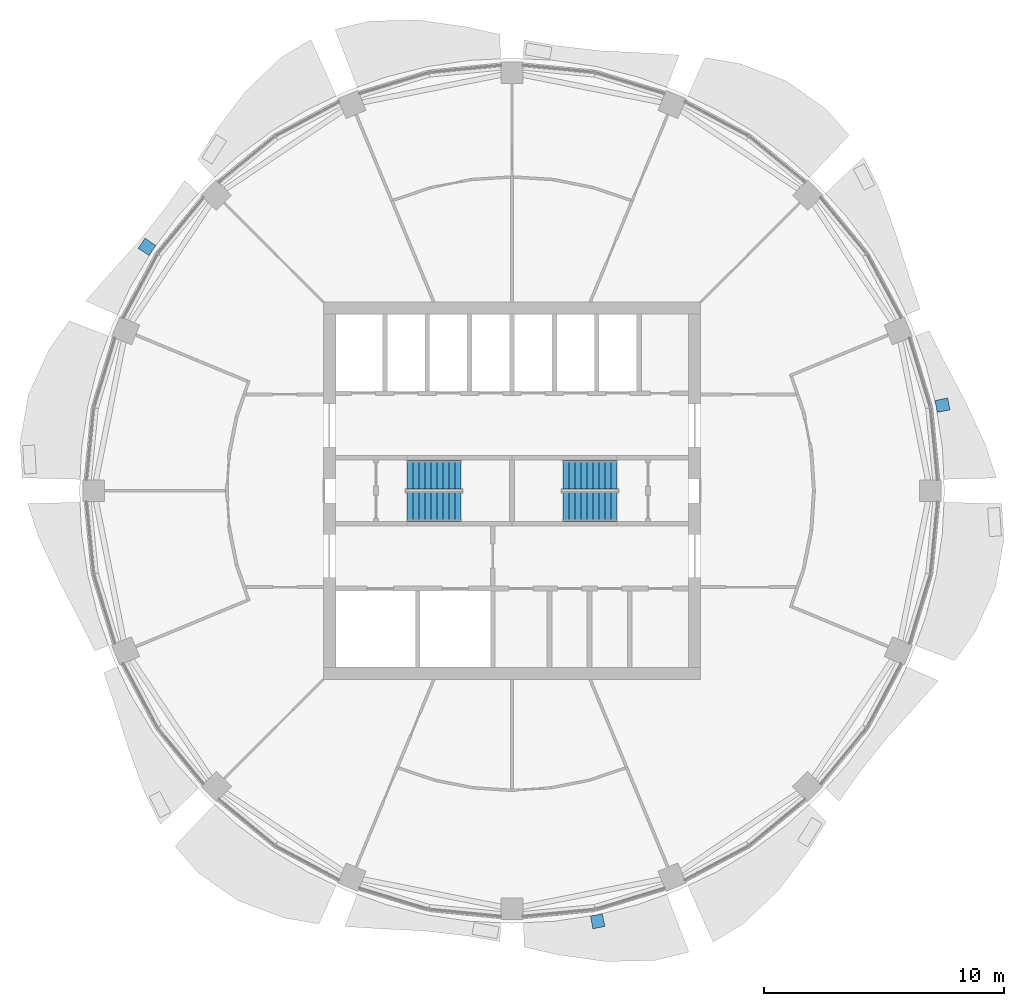
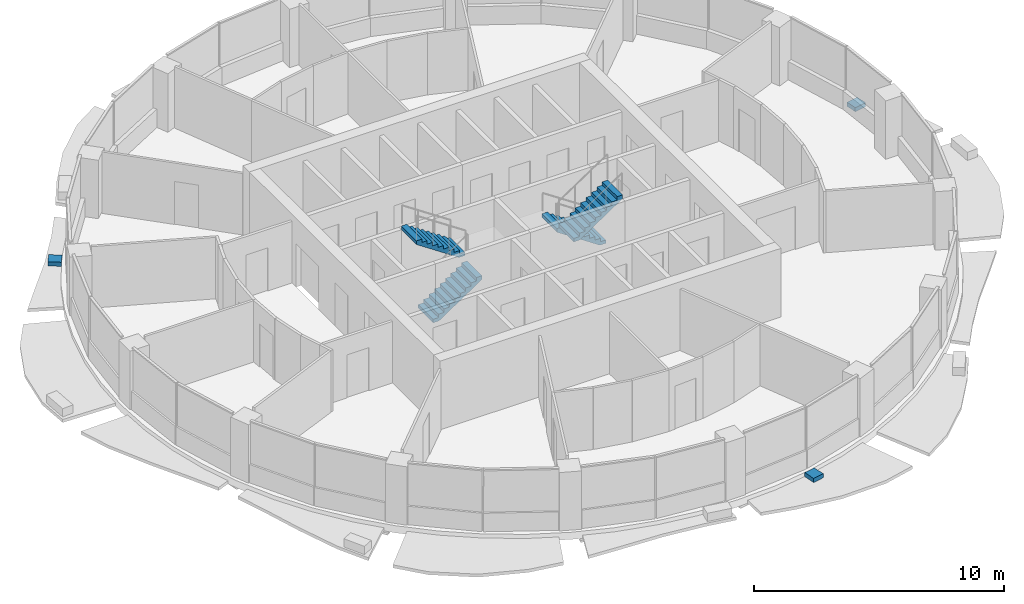
# One storey, part 11 of 15: 4 stair flights, 3 discrete accessories, 2 elements without a shape of their own.
"""IFC4 building model written with IfcOpenShell, lengths in metres."""

from ifc_helpers import new_model, si_unit, direction, frame, origin, place, context, subcontext, project, spatial, polyline, outline, extrude, material, type_object, element, aggregate, save


model = new_model("IFC4")

# Units and contexts
model_context = context("Model", 3, precision=1e-05, world=origin(), true_north=direction((0.0, 1.0)))
body_context = subcontext(model_context, "Body", "Model", "MODEL_VIEW")
ifc_project = project(units=[si_unit("LENGTHUNIT", "METRE"), si_unit("AREAUNIT", "SQUARE_METRE"), si_unit("VOLUMEUNIT", "CUBIC_METRE"), si_unit("PLANEANGLEUNIT", "RADIAN"), si_unit("MASSUNIT", "GRAM", prefix="KILO")], contexts=[model_context])

# Site, building, storey
site_placement = place(None, origin())
site = spatial("IfcSite", under=ifc_project, at=site_placement, CompositionType="ELEMENT")
building_placement = place(site_placement, origin())
building = spatial("IfcBuilding", under=site, at=building_placement, Name="Polderwave Tower", CompositionType="ELEMENT")
storey_placement = place(building_placement, frame((0.0, 0.0, 191.0)))
storey = spatial("IfcBuildingStorey", under=building, at=storey_placement, Name="L51", CompositionType="ELEMENT", Elevation=191.0)

# Stair, stair flights
ifc_material_1 = material(Name="Concrete C40/50", Category="concrete")
stair_type = type_object("IfcStairType", Name="Exit stair 1200 x 20 risers", PredefinedType="HALF_TURN_STAIR", material=ifc_material_1)
stair_1_placement = place(storey_placement, origin())
stair_1 = element("IfcStair", 1, at=stair_1_placement, inside=storey, type_object=stair_type, Name="L51 Exit stair A", PredefinedType="HALF_TURN_STAIR")
stair_flight_type = type_object("IfcStairFlightType", Name="Stair flight 1200", PredefinedType="STRAIGHT", material=ifc_material_1)
stair_flight_1_placement = place(storey_placement, frame((-4.3740234375, -0.675048828125, 0.0), z_axis=(0.0, 0.0, 1.0), x_axis=(1.0, 0.0, 0.0)))
stair_flight_1 = element("IfcStairFlight", 2, at=stair_flight_1_placement, type_object=stair_flight_type, Name="ST-A flight 1", NumberOfRisers=10, NumberOfTreads=9, PredefinedType="STRAIGHT", RiserHeight=0.1675, TreadLength=0.25, context=body_context, shape_type="SweptSolid", body=[
    extrude(outline(polyline([(0.0, 0.0), (0.0, 0.16748046875), (0.25, 0.16748046875), (0.25, 0.3349609375), (0.5, 0.3349609375), (0.5, 0.50244140625), (0.75, 0.50244140625), (0.75, 0.669921875), (1.0, 0.669921875), (1.0, 0.83740234375), (1.25, 0.83740234375), (1.25, 1.0048828125), (1.5, 1.0048828125), (1.5, 1.172607421875), (1.75, 1.172607421875), (1.75, 1.340087890625), (2.0, 1.340087890625), (2.0, 1.507568359375), (2.25, 1.507568359375), (2.25, 1.675048828125), (2.25, 1.3271484375), (0.269287109375, 0.0), (0.0, 0.0)])), frame((0.0, 0.60009765625, 0.0), z_axis=(0.0, -1.0, 0.0), x_axis=(1.0, 0.0, 0.0)), (0.0, 0.0, 1.0), 1.199951171875),
])
stair_flight_2_placement = place(storey_placement, frame((-2.1240234375, 0.675048828125, 1.675048828125), z_axis=(0.0, 0.0, 1.0), x_axis=(-1.0, 0.0, 0.0)))
stair_flight_2 = element("IfcStairFlight", 3, at=stair_flight_2_placement, type_object=stair_flight_type, Name="ST-A flight 2", NumberOfRisers=10, NumberOfTreads=9, PredefinedType="STRAIGHT", RiserHeight=0.1675, TreadLength=0.25, context=body_context, shape_type="SweptSolid", body=[
    extrude(outline(polyline([(0.0, 0.0), (0.0, 0.16748046875), (0.25, 0.16748046875), (0.25, 0.3349609375), (0.5, 0.3349609375), (0.5, 0.50244140625), (0.75, 0.50244140625), (0.75, 0.669921875), (1.0, 0.669921875), (1.0, 0.83740234375), (1.25, 0.83740234375), (1.25, 1.0048828125), (1.5, 1.0048828125), (1.5, 1.172607421875), (1.75, 1.172607421875), (1.75, 1.340087890625), (2.0, 1.340087890625), (2.0, 1.507568359375), (2.25, 1.507568359375), (2.25, 1.675048828125), (2.25, 1.3271484375), (0.269287109375, 0.0), (0.0, 0.0)])), frame((0.0, 0.60009765625, 0.0), z_axis=(0.0, -1.0, 0.0), x_axis=(1.0, 0.0, 0.0)), (0.0, 0.0, 1.0), 1.199951171875),
])
aggregate(stair_1, [stair_flight_1, stair_flight_2])

stair_2_placement = place(storey_placement, origin())
stair_2 = element("IfcStair", 4, at=stair_2_placement, inside=storey, type_object=stair_type, Name="L51 Exit stair B", PredefinedType="HALF_TURN_STAIR")
stair_flight_3_placement = place(storey_placement, frame((4.3740234375, 0.675048828125, 0.0), z_axis=(0.0, 0.0, 1.0), x_axis=(-1.0, 0.0, 0.0)))
stair_flight_3 = element("IfcStairFlight", 5, at=stair_flight_3_placement, type_object=stair_flight_type, Name="ST-B flight 1", NumberOfRisers=10, NumberOfTreads=9, PredefinedType="STRAIGHT", RiserHeight=0.1675, TreadLength=0.25, context=body_context, shape_type="SweptSolid", body=[
    extrude(outline(polyline([(0.0, 0.0), (0.0, 0.16748046875), (0.25, 0.16748046875), (0.25, 0.3349609375), (0.5, 0.3349609375), (0.5, 0.50244140625), (0.75, 0.50244140625), (0.75, 0.669921875), (1.0, 0.669921875), (1.0, 0.83740234375), (1.25, 0.83740234375), (1.25, 1.0048828125), (1.5, 1.0048828125), (1.5, 1.172607421875), (1.75, 1.172607421875), (1.75, 1.340087890625), (2.0, 1.340087890625), (2.0, 1.507568359375), (2.25, 1.507568359375), (2.25, 1.675048828125), (2.25, 1.3271484375), (0.269287109375, 0.0), (0.0, 0.0)])), frame((0.0, 0.60009765625, 0.0), z_axis=(0.0, -1.0, 0.0), x_axis=(1.0, 0.0, 0.0)), (0.0, 0.0, 1.0), 1.199951171875),
])
stair_flight_4_placement = place(storey_placement, frame((2.1240234375, -0.675048828125, 1.675048828125), z_axis=(0.0, 0.0, 1.0), x_axis=(1.0, 0.0, 0.0)))
stair_flight_4 = element("IfcStairFlight", 6, at=stair_flight_4_placement, type_object=stair_flight_type, Name="ST-B flight 2", NumberOfRisers=10, NumberOfTreads=9, PredefinedType="STRAIGHT", RiserHeight=0.1675, TreadLength=0.25, context=body_context, shape_type="SweptSolid", body=[
    extrude(outline(polyline([(0.0, 0.0), (0.0, 0.16748046875), (0.25, 0.16748046875), (0.25, 0.3349609375), (0.5, 0.3349609375), (0.5, 0.50244140625), (0.75, 0.50244140625), (0.75, 0.669921875), (1.0, 0.669921875), (1.0, 0.83740234375), (1.25, 0.83740234375), (1.25, 1.0048828125), (1.5, 1.0048828125), (1.5, 1.172607421875), (1.75, 1.172607421875), (1.75, 1.340087890625), (2.0, 1.340087890625), (2.0, 1.507568359375), (2.25, 1.507568359375), (2.25, 1.675048828125), (2.25, 1.3271484375), (0.269287109375, 0.0), (0.0, 0.0)])), frame((0.0, 0.60009765625, 0.0), z_axis=(0.0, -1.0, 0.0), x_axis=(1.0, 0.0, 0.0)), (0.0, 0.0, 1.0), 1.199951171875),
])
aggregate(stair_2, [stair_flight_3, stair_flight_4])

# Discrete accessories
ifc_material_2 = material(Name="Steel S355", Category="steel")
discrete_accessory_type = type_object("IfcDiscreteAccessoryType", Name="Band bracket pad", PredefinedType="BRACKET", material=ifc_material_2)
discrete_accessory_1_placement = place(storey_placement, frame((0.0, 0.0, -0.199951171875)))
element("IfcDiscreteAccessory", 7, at=discrete_accessory_1_placement, inside=storey, type_object=discrete_accessory_type, Name="Band bracket L51 1", PredefinedType="BRACKET", context=body_context, shape_type="SweptSolid", body=[
    extrude(outline(polyline([(17.739990234375, 3.274169921875), (17.703125, 3.521484375), (17.642333984375, 3.763916015625), (18.180419921875, 3.878662109375), (18.28076171875, 3.373779296875), (17.739990234375, 3.274169921875)])), origin(), (0.0, 0.0, 1.0), 0.199951171875),
])
discrete_accessory_2_placement = place(storey_placement, frame((0.0, 0.0, -0.199951171875)))
element("IfcDiscreteAccessory", 8, at=discrete_accessory_2_placement, inside=storey, type_object=discrete_accessory_type, Name="Band bracket L51 7", PredefinedType="BRACKET", context=body_context, shape_type="SweptSolid", body=[
    extrude(outline(polyline([(-14.859130859375, 10.228759765625), (-15.008056640625, 10.028076171875), (-15.13671875, 9.813720703125), (-15.597900390625, 10.11279296875), (-15.31201171875, 10.540771484375), (-14.859130859375, 10.228759765625)])), origin(), (0.0, 0.0, 1.0), 0.199951171875),
])
discrete_accessory_3_placement = place(storey_placement, frame((0.0, 0.0, -0.199951171875)))
element("IfcDiscreteAccessory", 9, at=discrete_accessory_3_placement, inside=storey, type_object=discrete_accessory_type, Name="Band bracket L51 13", PredefinedType="BRACKET", context=body_context, shape_type="SweptSolid", body=[
    extrude(outline(polyline([(3.274169921875, -17.739990234375), (3.521484375, -17.703125), (3.763916015625, -17.642333984375), (3.878662109375, -18.180419921875), (3.373779296875, -18.28076171875), (3.274169921875, -17.739990234375)])), origin(), (0.0, 0.0, 1.0), 0.199951171875),
])

save(model, "model.ifc")
